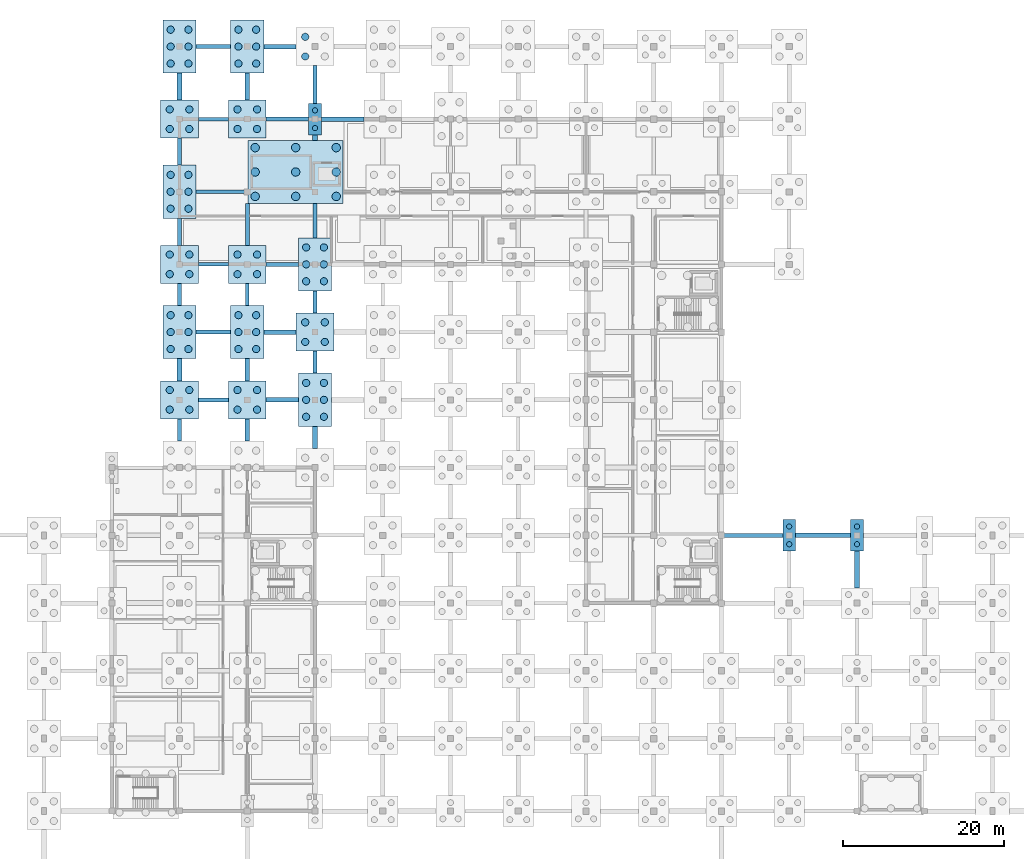
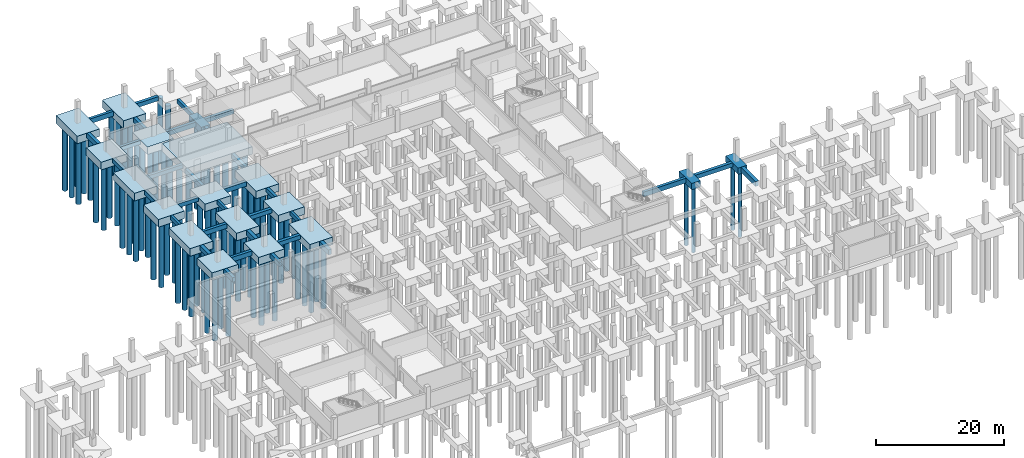
# One storey, part 6 of 20: 87 piles, 50 footings.
"""IFC4 building model written with IfcOpenShell, lengths in metres."""

import ifcopenshell
import ifcopenshell.guid

model = None  # the IFC model being written
_history = None  # IfcOwnerHistory: only IFC2X3 demands one
_inside = {}  # id of a spatial element -> (the spatial element, [elements in it])
_under = {}  # id of a project, library or spatial element -> (it, [spatial elements below it])
_declared = {}  # id of a project -> (the project, [libraries it declares])
_typed = {}  # id of a type object -> (the type object, [elements of that type])
_made_of = {}  # id of a material, layer set ... -> (it, [elements and type objects made of it])


def new_model(schema):
    """Start an empty IFC model of exactly this schema.

    Asked for "IFC4X3", IfcOpenShell would pick the latest addendum, in which some entities
    have other attributes; the version numbers below select the first issue.
    IFC2X3 requires an IfcOwnerHistory on every rooted entity: one is made here for all.
    """
    global model, _history
    if schema == "IFC4X3":
        model = ifcopenshell.file(schema_version=(4, 3, 0, 0))
    else:
        model = ifcopenshell.file(schema=schema)
    _inside.clear()
    _under.clear()
    _declared.clear()
    _typed.clear()
    _made_of.clear()
    _history = None
    if model.schema == "IFC2X3":
        org = make("IfcOrganization", Name="unknown")
        user = make(
            "IfcPersonAndOrganization",
            ThePerson=make("IfcPerson", FamilyName="unknown"),
            TheOrganization=org,
        )
        app = make(
            "IfcApplication",
            ApplicationDeveloper=org,
            Version="unknown",
            ApplicationFullName="unknown",
            ApplicationIdentifier="unknown",
        )
        _history = make(
            "IfcOwnerHistory",
            OwningUser=user,
            OwningApplication=app,
            ChangeAction="ADDED",
            CreationDate=0,
        )
    return model


def make(cls, **values):
    """One entity of the class cls with the attributes given. An attribute that is None is left unset."""
    return model.create_entity(
        cls, **{name: value for name, value in values.items() if value is not None}
    )


def rooted(cls, **values):
    """An entity with a GlobalId (a new one), such as an element, a storey or a relation."""
    return make(cls, GlobalId=ifcopenshell.guid.new(), OwnerHistory=_history, **values)


def si_unit(unit_type, name, prefix=None):
    """IfcSIUnit, for example si_unit("LENGTHUNIT", "METRE", prefix="MILLI")."""
    return make("IfcSIUnit", UnitType=unit_type, Prefix=prefix, Name=name)


def assignment(units):
    """IfcUnitAssignment: the units of a project."""
    return None if units is None else make("IfcUnitAssignment", Units=units)


def point(xyz):
    """IfcCartesianPoint."""
    return None if xyz is None else make("IfcCartesianPoint", Coordinates=xyz)


def direction(xyz):
    """IfcDirection."""
    return None if xyz is None else make("IfcDirection", DirectionRatios=xyz)


def frame(location, z_axis=None, x_axis=None):
    """IfcAxis2Placement3D, a coordinate frame: its origin and axes. An axis left out is left unset."""
    return make(
        "IfcAxis2Placement3D",
        Location=point(location),
        Axis=direction(z_axis),
        RefDirection=direction(x_axis),
    )


def frame_2d(location, x_axis=None):
    """IfcAxis2Placement2D, a coordinate frame in the plane: its origin and x axis."""
    return make(
        "IfcAxis2Placement2D", Location=point(location), RefDirection=direction(x_axis)
    )


def origin():
    """The frame at (0, 0, 0) with its axes left unset."""
    return frame((0.0, 0.0, 0.0))


def origin_2d():
    """The frame at (0, 0) in the plane with its x axis left unset."""
    return frame_2d((0.0, 0.0))


def place(relative_to, where):
    """IfcLocalPlacement: puts the frame where relative to a parent placement (None: the world)."""
    return make(
        "IfcLocalPlacement", PlacementRelTo=relative_to, RelativePlacement=where
    )


def context(
    kind, dimensions, precision=None, world=None, true_north=None, identifier=None
):
    """IfcGeometricRepresentationContext, for example the 3D "Model" context."""
    return make(
        "IfcGeometricRepresentationContext",
        ContextIdentifier=identifier,
        ContextType=kind,
        CoordinateSpaceDimension=dimensions,
        Precision=precision,
        WorldCoordinateSystem=world,
        TrueNorth=true_north,
    )


def subcontext(parent, identifier, kind, view, scale=None):
    """IfcGeometricRepresentationSubContext, for example "Body" below "Model"."""
    return make(
        "IfcGeometricRepresentationSubContext",
        ContextIdentifier=identifier,
        ContextType=kind,
        ParentContext=parent,
        TargetScale=scale,
        TargetView=view,
    )


def project(units=None, contexts=None):
    """IfcProject with its units and contexts."""
    return rooted(
        "IfcProject",
        Name="project",
        RepresentationContexts=contexts,
        UnitsInContext=assignment(units),
    )


def spatial(cls, under=None, at=None, **own):
    """A site, building, storey or space (cls), placed at a placement, below another one or the project."""
    s = rooted(cls, ObjectPlacement=at, **own)
    if under is not None:
        _under.setdefault(under.id(), (under, []))[1].append(s)
    return s


def profile(cls, at=None, kind="AREA", **sizes):
    """A parametric profile (cls). Its sizes go by their IFC names, for example OverallWidth=200.0."""
    return make(cls, ProfileType=kind, Position=at, **sizes)


def rectangle(**sizes):
    """IfcRectangleProfileDef."""
    return profile("IfcRectangleProfileDef", **sizes)


def circle(**sizes):
    """IfcCircleProfileDef."""
    return profile("IfcCircleProfileDef", **sizes)


def extrude(swept, where, along, depth):
    """IfcExtrudedAreaSolid: the profile swept, set in the frame where, extruded along a direction by depth."""
    return make(
        "IfcExtrudedAreaSolid",
        SweptArea=swept,
        Position=where,
        ExtrudedDirection=direction(along),
        Depth=depth,
    )


def shape(context_of_items, identifier, shape_type, items):
    """IfcShapeRepresentation: the items that make up one representation, for example the "Body"."""
    return make(
        "IfcShapeRepresentation",
        ContextOfItems=context_of_items,
        RepresentationIdentifier=identifier,
        RepresentationType=shape_type,
        Items=items,
    )


def material(Name=None, Category=None):
    """IfcMaterial."""
    return make("IfcMaterial", Name=Name, Category=Category)


def material_profile(
    of_material, cross_section, Name=None, Category=None, Priority=None
):
    """IfcMaterialProfile: a cross section and its material."""
    return make(
        "IfcMaterialProfile",
        Name=Name,
        Material=of_material,
        Profile=cross_section,
        Priority=Priority,
        Category=Category,
    )


def profile_set(profiles, Name=None, composite=None):
    """IfcMaterialProfileSet."""
    return make(
        "IfcMaterialProfileSet",
        Name=Name,
        MaterialProfiles=profiles,
        CompositeProfile=composite,
    )


def made_of(thing, what):
    """Note that an element or type object is made of a material, layer set ...; save() writes the relation."""
    if what is not None:
        _made_of.setdefault(what.id(), (what, []))[1].append(thing)
    return thing


def type_object(cls, material=None, **own):
    """A type object (cls), such as IfcWallType, which elements share."""
    return made_of(rooted(cls, **own), material)


def element(
    cls,
    number,
    at=None,
    inside=None,
    cuts=None,
    type_object=None,
    material=None,
    context=None,
    identifier="Body",
    shape_type=None,
    held_by="IfcProductDefinitionShape",
    body=None,
    shapes=None,
    **own,
):
    """One element of the class cls, such as IfcWall. Its Tag is "e" and its number.

    at: its placement. inside: the storey or other place that contains it. cuts: it is an
    opening in that element (IfcRelVoidsElement). A single representation is given by context,
    identifier, shape_type and body (its items); several are given by shapes. held_by: the class
    of the entity that holds the representations. save() writes the other relations.
    """
    e = rooted(cls, Tag="e%d" % number, ObjectPlacement=at, **own)
    if body is not None:
        shapes = [shape(context, identifier, shape_type, body)]
    if shapes is not None:
        e.Representation = make(held_by, Representations=shapes)
    if inside is not None:
        _inside.setdefault(inside.id(), (inside, []))[1].append(e)
    if cuts is not None:
        rooted(
            "IfcRelVoidsElement", RelatingBuildingElement=cuts, RelatedOpeningElement=e
        )
    if type_object is not None:
        _typed.setdefault(type_object.id(), (type_object, []))[1].append(e)
    return made_of(e, material)


def aggregate(whole, parts):
    """IfcRelAggregates: a whole, such as a stair, and the parts it consists of."""
    return rooted("IfcRelAggregates", RelatingObject=whole, RelatedObjects=parts)


def save(model, path):
    """Write the relations noted so far, then the file.

    IfcRelAggregates (storeys below a building ...), IfcRelContainedInSpatialStructure (elements
    in a storey), IfcRelDefinesByType, IfcRelAssociatesMaterial and IfcRelDeclares: one each for
    every whole, place, type object, material and project.
    """
    for whole, parts in _under.values():
        aggregate(whole, parts)
    for where, things in _inside.values():
        rooted(
            "IfcRelContainedInSpatialStructure",
            RelatedElements=things,
            RelatingStructure=where,
        )
    for kind, things in _typed.values():
        rooted("IfcRelDefinesByType", RelatedObjects=things, RelatingType=kind)
    for what, things in _made_of.values():
        rooted("IfcRelAssociatesMaterial", RelatedObjects=things, RelatingMaterial=what)
    for by, libraries in _declared.values():
        rooted("IfcRelDeclares", RelatingContext=by, RelatedDefinitions=libraries)
    model.write(path)


model = new_model("IFC4")

# Units and contexts
model_context = context("Model", 3, precision=1e-05, world=origin(), true_north=direction((0.0, 1.0)))
body_context = subcontext(model_context, "Body", "Model", "MODEL_VIEW")
ifc_project = project(units=[si_unit("LENGTHUNIT", "METRE"), si_unit("AREAUNIT", "SQUARE_METRE"), si_unit("VOLUMEUNIT", "CUBIC_METRE"), si_unit("PLANEANGLEUNIT", "RADIAN"), si_unit("MASSUNIT", "GRAM", prefix="KILO")], contexts=[model_context])

# Site, building, storey
site_placement = place(None, origin())
site = spatial("IfcSite", under=ifc_project, at=site_placement, CompositionType="ELEMENT")
building_placement = place(site_placement, origin())
building = spatial("IfcBuilding", under=site, at=building_placement, Name="Vireocrest Preparatory School", CompositionType="ELEMENT")
storey_placement = place(building_placement, frame((0.0, 0.0, -4.199951171875)))
storey = spatial("IfcBuildingStorey", under=building, at=storey_placement, Name="B01", CompositionType="ELEMENT", Elevation=-4.199951171875)

# Piles
ifc_material = material(Name="Concrete 40 MPa", Category="concrete")
ifc_material_profile_1 = material_profile(ifc_material, circle(Radius=0.52490234375, at=origin_2d()), Name="BORED PILE 1050")
ifc_profile_set_1 = profile_set([ifc_material_profile_1], Name="Concrete 40 MPa")
pile_type_1 = type_object("IfcPileType", Name="Bored Concrete Pile 1050", PredefinedType="BORED", material=ifc_profile_set_1)
for number, where, z_axis, x_axis, name in (
    (1, (51.375, 94.22509765625, -1.35009765625), (0.0, 0.0, -1.0), (1.0, 0.0, 0.0), "Bored Pile P04 Core K3-1"),
    (2, (51.375, 97.25, -1.35009765625), (0.0, 0.0, -1.0), (1.0, 0.0, 0.0), "Bored Pile P04 Core K3-2"),
    (3, (51.375, 100.27490234375, -1.35009765625), (0.0, 0.0, -1.0), (1.0, 0.0, 0.0), "Bored Pile P04 Core K3-3"),
    (4, (56.39990234375, 94.22509765625, -1.35009765625), (0.0, 0.0, -1.0), (1.0, 0.0, 0.0), "Bored Pile P04 Core K3-4"),
    (5, (56.39990234375, 97.25, -1.35009765625), (0.0, 0.0, -1.0), (1.0, 0.0, 0.0), "Bored Pile P04 Core K3-5"),
    (6, (56.39990234375, 100.27490234375, -1.35009765625), (0.0, 0.0, -1.0), (1.0, 0.0, 0.0), "Bored Pile P04 Core K3-6"),
    (7, (61.425048828125, 94.22509765625, -1.35009765625), (0.0, 0.0, -1.0), (1.0, 0.0, 0.0), "Bored Pile P04 Core K3-7"),
    (8, (61.425048828125, 97.25, -1.35009765625), (0.0, 0.0, -1.0), (1.0, 0.0, 0.0), "Bored Pile P04 Core K3-8"),
    (9, (61.425048828125, 100.27490234375, -1.35009765625), (0.0, 0.0, -1.0), (1.0, 0.0, 0.0), "Bored Pile P04 Core K3-9"),
):
    element("IfcPile", number, at=place(storey_placement, frame(where, z_axis=z_axis, x_axis=x_axis)), inside=storey, type_object=pile_type_1, Name=name, PredefinedType="BORED", context=body_context, shape_type="SweptSolid", body=[
        extrude(circle(Radius=0.52490234375, at=origin_2d()), origin(), (0.0, 0.0, 1.0), 12.449951171875),
    ])
ifc_material_profile_2 = material_profile(ifc_material, circle(Radius=0.324951171875, at=origin_2d()), Name="BORED PILE 650")
ifc_profile_set_2 = profile_set([ifc_material_profile_2], Name="Concrete 40 MPa")
pile_type_2 = type_object("IfcPileType", Name="Bored Concrete Pile 650", PredefinedType="BORED", material=ifc_profile_set_2)
for number, where, z_axis, x_axis, name in (
    (10, (58.800048828125, 102.699951171875, -1.10009765625), (0.0, 0.0, -1.0), (1.0, 0.0, 0.0), "Bored Pile P01 059-1"),
    (11, (58.800048828125, 104.89990234375, -1.10009765625), (0.0, 0.0, -1.0), (1.0, 0.0, 0.0), "Bored Pile P01 059-2"),
    (12, (117.60009765625, 51.10009765625, -1.10009765625), (0.0, 0.0, -1.0), (1.0, 0.0, 0.0), "Bored Pile P01 144-1"),
    (13, (117.60009765625, 53.300048828125, -1.10009765625), (0.0, 0.0, -1.0), (1.0, 0.0, 0.0), "Bored Pile P01 144-2"),
    (14, (126.0, 51.10009765625, -1.10009765625), (0.0, 0.0, -1.0), (1.0, 0.0, 0.0), "Bored Pile P01 153-1"),
    (15, (126.0, 53.300048828125, -1.10009765625), (0.0, 0.0, -1.0), (1.0, 0.0, 0.0), "Bored Pile P01 153-2"),
):
    element("IfcPile", number, at=place(storey_placement, frame(where, z_axis=z_axis, x_axis=x_axis)), inside=storey, type_object=pile_type_2, Name=name, PredefinedType="BORED", context=body_context, shape_type="SweptSolid", body=[
        extrude(circle(Radius=0.324951171875, at=origin_2d()), origin(), (0.0, 0.0, 1.0), 12.699951171875),
    ])
ifc_material_profile_3 = material_profile(ifc_material, circle(Radius=0.449951171875, at=origin_2d()), Name="BORED PILE 900")
ifc_profile_set_3 = profile_set([ifc_material_profile_3], Name="Concrete 40 MPa")
pile_type_3 = type_object("IfcPileType", Name="Bored Concrete Pile 900", PredefinedType="BORED", material=ifc_profile_set_3)
for number, where, z_axis, x_axis, name in (
    (16, (40.784912109375, 67.784912109375, -1.35009765625), (0.0, 0.0, -1.0), (1.0, 0.0, 0.0), "Bored Pile P03 028-1"),
    (17, (43.215087890625, 67.784912109375, -1.35009765625), (0.0, 0.0, -1.0), (1.0, 0.0, 0.0), "Bored Pile P03 028-2"),
    (18, (40.784912109375, 70.215087890625, -1.35009765625), (0.0, 0.0, -1.0), (1.0, 0.0, 0.0), "Bored Pile P03 028-3"),
    (19, (43.215087890625, 70.215087890625, -1.35009765625), (0.0, 0.0, -1.0), (1.0, 0.0, 0.0), "Bored Pile P03 028-4"),
    (20, (40.89990234375, 75.300048828125, -1.35009765625), (0.0, 0.0, -1.0), (1.0, 0.0, 0.0), "Bored Pile P03 029-1"),
    (21, (43.10009765625, 75.300048828125, -1.35009765625), (0.0, 0.0, -1.0), (1.0, 0.0, 0.0), "Bored Pile P03 029-2"),
    (22, (40.89990234375, 77.39990234375, -1.35009765625), (0.0, 0.0, -1.0), (1.0, 0.0, 0.0), "Bored Pile P03 029-3"),
    (23, (43.10009765625, 77.39990234375, -1.35009765625), (0.0, 0.0, -1.0), (1.0, 0.0, 0.0), "Bored Pile P03 029-4"),
    (24, (40.89990234375, 79.5, -1.35009765625), (0.0, 0.0, -1.0), (1.0, 0.0, 0.0), "Bored Pile P03 029-5"),
    (25, (43.10009765625, 79.5, -1.35009765625), (0.0, 0.0, -1.0), (1.0, 0.0, 0.0), "Bored Pile P03 029-6"),
    (26, (40.784912109375, 84.5849609375, -1.35009765625), (0.0, 0.0, -1.0), (1.0, 0.0, 0.0), "Bored Pile P03 030-1"),
    (27, (43.215087890625, 84.5849609375, -1.35009765625), (0.0, 0.0, -1.0), (1.0, 0.0, 0.0), "Bored Pile P03 030-2"),
    (28, (40.784912109375, 87.014892578125, -1.35009765625), (0.0, 0.0, -1.0), (1.0, 0.0, 0.0), "Bored Pile P03 030-3"),
    (29, (43.215087890625, 87.014892578125, -1.35009765625), (0.0, 0.0, -1.0), (1.0, 0.0, 0.0), "Bored Pile P03 030-4"),
    (30, (40.89990234375, 92.699951171875, -1.35009765625), (0.0, 0.0, -1.0), (1.0, 0.0, 0.0), "Bored Pile P03 031-1"),
    (31, (43.10009765625, 92.699951171875, -1.35009765625), (0.0, 0.0, -1.0), (1.0, 0.0, 0.0), "Bored Pile P03 031-2"),
    (32, (40.89990234375, 94.800048828125, -1.35009765625), (0.0, 0.0, -1.0), (1.0, 0.0, 0.0), "Bored Pile P03 031-3"),
    (33, (43.10009765625, 94.800048828125, -1.35009765625), (0.0, 0.0, -1.0), (1.0, 0.0, 0.0), "Bored Pile P03 031-4"),
    (34, (40.89990234375, 96.89990234375, -1.35009765625), (0.0, 0.0, -1.0), (1.0, 0.0, 0.0), "Bored Pile P03 031-5"),
    (35, (43.10009765625, 96.89990234375, -1.35009765625), (0.0, 0.0, -1.0), (1.0, 0.0, 0.0), "Bored Pile P03 031-6"),
    (36, (40.784912109375, 102.5849609375, -1.35009765625), (0.0, 0.0, -1.0), (1.0, 0.0, 0.0), "Bored Pile P03 032-1"),
    (37, (43.215087890625, 102.5849609375, -1.35009765625), (0.0, 0.0, -1.0), (1.0, 0.0, 0.0), "Bored Pile P03 032-2"),
    (38, (40.784912109375, 105.014892578125, -1.35009765625), (0.0, 0.0, -1.0), (1.0, 0.0, 0.0), "Bored Pile P03 032-3"),
    (39, (43.215087890625, 105.014892578125, -1.35009765625), (0.0, 0.0, -1.0), (1.0, 0.0, 0.0), "Bored Pile P03 032-4"),
    (40, (40.89990234375, 110.699951171875, -1.35009765625), (0.0, 0.0, -1.0), (1.0, 0.0, 0.0), "Bored Pile P03 033-1"),
    (41, (43.10009765625, 110.699951171875, -1.35009765625), (0.0, 0.0, -1.0), (1.0, 0.0, 0.0), "Bored Pile P03 033-2"),
    (42, (40.89990234375, 112.800048828125, -1.35009765625), (0.0, 0.0, -1.0), (1.0, 0.0, 0.0), "Bored Pile P03 033-3"),
    (43, (43.10009765625, 112.800048828125, -1.35009765625), (0.0, 0.0, -1.0), (1.0, 0.0, 0.0), "Bored Pile P03 033-4"),
    (44, (40.89990234375, 114.89990234375, -1.35009765625), (0.0, 0.0, -1.0), (1.0, 0.0, 0.0), "Bored Pile P03 033-5"),
    (45, (43.10009765625, 114.89990234375, -1.35009765625), (0.0, 0.0, -1.0), (1.0, 0.0, 0.0), "Bored Pile P03 033-6"),
    (46, (49.18505859375, 67.784912109375, -1.35009765625), (0.0, 0.0, -1.0), (1.0, 0.0, 0.0), "Bored Pile P03 042-1"),
    (47, (51.614990234375, 67.784912109375, -1.35009765625), (0.0, 0.0, -1.0), (1.0, 0.0, 0.0), "Bored Pile P03 042-2"),
    (48, (49.18505859375, 70.215087890625, -1.35009765625), (0.0, 0.0, -1.0), (1.0, 0.0, 0.0), "Bored Pile P03 042-3"),
    (49, (51.614990234375, 70.215087890625, -1.35009765625), (0.0, 0.0, -1.0), (1.0, 0.0, 0.0), "Bored Pile P03 042-4"),
    (50, (49.300048828125, 75.300048828125, -1.35009765625), (0.0, 0.0, -1.0), (1.0, 0.0, 0.0), "Bored Pile P03 043-1"),
    (51, (51.5, 75.300048828125, -1.35009765625), (0.0, 0.0, -1.0), (1.0, 0.0, 0.0), "Bored Pile P03 043-2"),
    (52, (49.300048828125, 77.39990234375, -1.35009765625), (0.0, 0.0, -1.0), (1.0, 0.0, 0.0), "Bored Pile P03 043-3"),
    (53, (51.5, 77.39990234375, -1.35009765625), (0.0, 0.0, -1.0), (1.0, 0.0, 0.0), "Bored Pile P03 043-4"),
    (54, (49.300048828125, 79.5, -1.35009765625), (0.0, 0.0, -1.0), (1.0, 0.0, 0.0), "Bored Pile P03 043-5"),
    (55, (51.5, 79.5, -1.35009765625), (0.0, 0.0, -1.0), (1.0, 0.0, 0.0), "Bored Pile P03 043-6"),
    (56, (49.18505859375, 84.5849609375, -1.35009765625), (0.0, 0.0, -1.0), (1.0, 0.0, 0.0), "Bored Pile P03 044-1"),
    (57, (51.614990234375, 84.5849609375, -1.35009765625), (0.0, 0.0, -1.0), (1.0, 0.0, 0.0), "Bored Pile P03 044-2"),
    (58, (49.18505859375, 87.014892578125, -1.35009765625), (0.0, 0.0, -1.0), (1.0, 0.0, 0.0), "Bored Pile P03 044-3"),
    (59, (51.614990234375, 87.014892578125, -1.35009765625), (0.0, 0.0, -1.0), (1.0, 0.0, 0.0), "Bored Pile P03 044-4"),
    (60, (49.18505859375, 102.5849609375, -1.35009765625), (0.0, 0.0, -1.0), (1.0, 0.0, 0.0), "Bored Pile P03 046-1"),
    (61, (51.614990234375, 102.5849609375, -1.35009765625), (0.0, 0.0, -1.0), (1.0, 0.0, 0.0), "Bored Pile P03 046-2"),
    (62, (49.18505859375, 105.014892578125, -1.35009765625), (0.0, 0.0, -1.0), (1.0, 0.0, 0.0), "Bored Pile P03 046-3"),
    (63, (51.614990234375, 105.014892578125, -1.35009765625), (0.0, 0.0, -1.0), (1.0, 0.0, 0.0), "Bored Pile P03 046-4"),
    (64, (49.300048828125, 110.699951171875, -1.35009765625), (0.0, 0.0, -1.0), (1.0, 0.0, 0.0), "Bored Pile P03 047-1"),
    (65, (51.5, 110.699951171875, -1.35009765625), (0.0, 0.0, -1.0), (1.0, 0.0, 0.0), "Bored Pile P03 047-2"),
    (66, (49.300048828125, 112.800048828125, -1.35009765625), (0.0, 0.0, -1.0), (1.0, 0.0, 0.0), "Bored Pile P03 047-3"),
    (67, (51.5, 112.800048828125, -1.35009765625), (0.0, 0.0, -1.0), (1.0, 0.0, 0.0), "Bored Pile P03 047-4"),
    (68, (49.300048828125, 114.89990234375, -1.35009765625), (0.0, 0.0, -1.0), (1.0, 0.0, 0.0), "Bored Pile P03 047-5"),
    (69, (51.5, 114.89990234375, -1.35009765625), (0.0, 0.0, -1.0), (1.0, 0.0, 0.0), "Bored Pile P03 047-6"),
    (70, (57.699951171875, 66.89990234375, -1.35009765625), (0.0, 0.0, -1.0), (1.0, 0.0, 0.0), "Bored Pile P03 055-1"),
    (71, (59.89990234375, 66.89990234375, -1.35009765625), (0.0, 0.0, -1.0), (1.0, 0.0, 0.0), "Bored Pile P03 055-2"),
    (72, (57.699951171875, 69.0, -1.35009765625), (0.0, 0.0, -1.0), (1.0, 0.0, 0.0), "Bored Pile P03 055-3"),
    (73, (59.89990234375, 69.0, -1.35009765625), (0.0, 0.0, -1.0), (1.0, 0.0, 0.0), "Bored Pile P03 055-4"),
    (74, (57.699951171875, 71.10009765625, -1.35009765625), (0.0, 0.0, -1.0), (1.0, 0.0, 0.0), "Bored Pile P03 055-5"),
    (75, (59.89990234375, 71.10009765625, -1.35009765625), (0.0, 0.0, -1.0), (1.0, 0.0, 0.0), "Bored Pile P03 055-6"),
    (76, (57.5849609375, 76.18505859375, -1.35009765625), (0.0, 0.0, -1.0), (1.0, 0.0, 0.0), "Bored Pile P03 056-1"),
    (77, (60.014892578125, 76.18505859375, -1.35009765625), (0.0, 0.0, -1.0), (1.0, 0.0, 0.0), "Bored Pile P03 056-2"),
    (78, (57.5849609375, 78.614990234375, -1.35009765625), (0.0, 0.0, -1.0), (1.0, 0.0, 0.0), "Bored Pile P03 056-3"),
    (79, (60.014892578125, 78.614990234375, -1.35009765625), (0.0, 0.0, -1.0), (1.0, 0.0, 0.0), "Bored Pile P03 056-4"),
    (80, (57.699951171875, 83.699951171875, -1.35009765625), (0.0, 0.0, -1.0), (1.0, 0.0, 0.0), "Bored Pile P03 057-1"),
    (81, (59.89990234375, 83.699951171875, -1.35009765625), (0.0, 0.0, -1.0), (1.0, 0.0, 0.0), "Bored Pile P03 057-2"),
    (82, (57.699951171875, 85.800048828125, -1.35009765625), (0.0, 0.0, -1.0), (1.0, 0.0, 0.0), "Bored Pile P03 057-3"),
    (83, (59.89990234375, 85.800048828125, -1.35009765625), (0.0, 0.0, -1.0), (1.0, 0.0, 0.0), "Bored Pile P03 057-4"),
    (84, (57.699951171875, 87.89990234375, -1.35009765625), (0.0, 0.0, -1.0), (1.0, 0.0, 0.0), "Bored Pile P03 057-5"),
    (85, (59.89990234375, 87.89990234375, -1.35009765625), (0.0, 0.0, -1.0), (1.0, 0.0, 0.0), "Bored Pile P03 057-6"),
    (86, (57.5849609375, 111.5849609375, -1.35009765625), (0.0, 0.0, -1.0), (1.0, 0.0, 0.0), "Bored Pile P03 060-1"),
    (87, (57.5849609375, 114.014892578125, -1.35009765625), (0.0, 0.0, -1.0), (1.0, 0.0, 0.0), "Bored Pile P03 060-3"),
):
    element("IfcPile", number, at=place(storey_placement, frame(where, z_axis=z_axis, x_axis=x_axis)), inside=storey, type_object=pile_type_3, Name=name, PredefinedType="BORED", context=body_context, shape_type="SweptSolid", body=[
        extrude(circle(Radius=0.449951171875, at=origin_2d()), origin(), (0.0, 0.0, 1.0), 12.449951171875),
    ])

# Footings
footing_type_1 = type_object("IfcFootingType", Name="Combined Core Pile Cap 7200x7800x1450", PredefinedType="PILE_CAP", material=ifc_material)
footing_1_placement = place(storey_placement, frame((56.39990234375, 97.25, -1.4501953125), z_axis=(0.0, 0.0, 1.0), x_axis=(1.0, 0.0, 0.0)))
element("IfcFooting", 88, at=footing_1_placement, inside=storey, type_object=footing_type_1, Name="Combined Core Pile Cap K3", PredefinedType="PILE_CAP", context=body_context, shape_type="SweptSolid", body=[
    extrude(rectangle(XDim=11.800048828125, YDim=7.800048828125, at=origin_2d()), origin(), (0.0, 0.0, 1.0), 1.449951171875),
])
footing_type_2 = type_object("IfcFootingType", Name="Four-Pile Cap 4700x4700x1450", PredefinedType="PILE_CAP", material=ifc_material)
for number, where, z_axis, x_axis, name in (
    (89, (42.0, 69.0, -1.4501953125), (0.0, 0.0, 1.0), (1.0, 0.0, 0.0), "Pile Cap PC08 at (42.0, 69.0)"),
    (90, (42.0, 85.800048828125, -1.4501953125), (0.0, 0.0, 1.0), (1.0, 0.0, 0.0), "Pile Cap PC08 at (42.0, 85.8)"),
    (91, (42.0, 103.800048828125, -1.4501953125), (0.0, 0.0, 1.0), (1.0, 0.0, 0.0), "Pile Cap PC08 at (42.0, 103.8)"),
    (92, (50.39990234375, 69.0, -1.4501953125), (0.0, 0.0, 1.0), (1.0, 0.0, 0.0), "Pile Cap PC08 at (50.4, 69.0)"),
    (93, (50.39990234375, 85.800048828125, -1.4501953125), (0.0, 0.0, 1.0), (1.0, 0.0, 0.0), "Pile Cap PC08 at (50.4, 85.8)"),
    (94, (50.39990234375, 103.800048828125, -1.4501953125), (0.0, 0.0, 1.0), (1.0, 0.0, 0.0), "Pile Cap PC08 at (50.4, 103.8)"),
    (95, (58.800048828125, 77.39990234375, -1.4501953125), (0.0, 0.0, 1.0), (1.0, 0.0, 0.0), "Pile Cap PC08 at (58.8, 77.4)"),
):
    element("IfcFooting", number, at=place(storey_placement, frame(where, z_axis=z_axis, x_axis=x_axis)), inside=storey, type_object=footing_type_2, Name=name, PredefinedType="PILE_CAP", context=body_context, shape_type="SweptSolid", body=[
        extrude(rectangle(XDim=4.699951171875, YDim=4.699951171875, at=origin_2d()), origin(), (0.0, 0.0, 1.0), 1.449951171875),
    ])
ifc_material_profile_4 = material_profile(ifc_material, rectangle(XDim=0.550048828125, YDim=0.800048828125, at=origin_2d()), Name="GB 550x800")
ifc_profile_set_4 = profile_set([ifc_material_profile_4], Name="Concrete 40 MPa")
footing_type_3 = type_object("IfcFootingType", Name="RC Court Tie Beam 550x800", PredefinedType="FOOTING_BEAM", material=ifc_profile_set_4)
footing_2_placement = place(storey_placement, frame((118.39990234375, 52.199951171875, -0.400146484375), z_axis=(1.0, 0.0, 0.0), x_axis=(0.0, 1.0, 0.0)))
element("IfcFooting", 96, at=footing_2_placement, inside=storey, type_object=footing_type_3, Name="Foundation Grade Beam GB06-078", PredefinedType="FOOTING_BEAM", context=body_context, shape_type="SweptSolid", body=[
    extrude(rectangle(XDim=0.550048828125, YDim=0.800048828125, at=origin_2d()), origin(), (0.0, 0.0, 1.0), 6.800048828125),
])
for number, where, z_axis, x_axis, name in (
    (97, (52.75, 69.0, -0.400146484375), (1.0, 0.0, 0.0), (0.0, 1.0, 0.0), "Foundation Grade Beam GB06-094"),
    (98, (52.449951171875, 77.39990234375, -0.400146484375), (1.0, 0.0, 0.0), (0.0, 1.0, 0.0), "Foundation Grade Beam GB06-102"),
):
    element("IfcFooting", number, at=place(storey_placement, frame(where, z_axis=z_axis, x_axis=x_axis)), inside=storey, type_object=footing_type_3, Name=name, PredefinedType="FOOTING_BEAM", context=body_context, shape_type="SweptSolid", body=[
        extrude(rectangle(XDim=0.550048828125, YDim=0.800048828125, at=origin_2d()), origin(), (0.0, 0.0, 1.0), 4.0),
    ])
footing_3_placement = place(storey_placement, frame((59.60009765625, 103.800048828125, -0.400146484375), z_axis=(1.0, 0.0, 0.0), x_axis=(0.0, 1.0, 0.0)))
element("IfcFooting", 99, at=footing_3_placement, inside=storey, type_object=footing_type_3, Name="Foundation Grade Beam GB06-126", PredefinedType="FOOTING_BEAM", context=body_context, shape_type="SweptSolid", body=[
    extrude(rectangle(XDim=0.550048828125, YDim=0.800048828125, at=origin_2d()), origin(), (0.0, 0.0, 1.0), 5.25),
])
footing_4_placement = place(storey_placement, frame((52.449951171875, 112.800048828125, -0.400146484375), z_axis=(1.0, 0.0, 0.0), x_axis=(0.0, 1.0, 0.0)))
element("IfcFooting", 100, at=footing_4_placement, inside=storey, type_object=footing_type_3, Name="Foundation Grade Beam GB06-134", PredefinedType="FOOTING_BEAM", context=body_context, shape_type="SweptSolid", body=[
    extrude(rectangle(XDim=0.550048828125, YDim=0.800048828125, at=origin_2d()), origin(), (0.0, 0.0, 1.0), 4.0),
])
footing_5_placement = place(storey_placement, frame((42.0, 98.10009765625, -0.400146484375), z_axis=(0.0, 1.0, 0.0), x_axis=(-1.0, 0.0, 0.0)))
element("IfcFooting", 101, at=footing_5_placement, inside=storey, type_object=footing_type_3, Name="Foundation Grade Beam GB06-166", PredefinedType="FOOTING_BEAM", context=body_context, shape_type="SweptSolid", body=[
    extrude(rectangle(XDim=0.550048828125, YDim=0.800048828125, at=origin_2d()), origin(), (0.0, 0.0, 1.0), 3.349853515625),
])
footing_6_placement = place(storey_placement, frame((50.39990234375, 63.89990234375, -0.400146484375), z_axis=(0.0, 1.0, 0.0), x_axis=(-1.0, 0.0, 0.0)))
element("IfcFooting", 102, at=footing_6_placement, inside=storey, type_object=footing_type_3, Name="Foundation Grade Beam GB06-174", PredefinedType="FOOTING_BEAM", context=body_context, shape_type="SweptSolid", body=[
    extrude(rectangle(XDim=0.550048828125, YDim=0.800048828125, at=origin_2d()), origin(), (0.0, 0.0, 1.0), 2.75),
])
ifc_material_profile_5 = material_profile(ifc_material, rectangle(XDim=0.5, YDim=0.800048828125, at=origin_2d()), Name="GB 500x800")
ifc_profile_set_5 = profile_set([ifc_material_profile_5], Name="Concrete 40 MPa")
footing_type_4 = type_object("IfcFootingType", Name="RC Foundation Grade Beam 500x800", PredefinedType="FOOTING_BEAM", material=ifc_profile_set_5)
footing_7_placement = place(storey_placement, frame((50.39990234375, 88.14990234375, -0.400146484375), z_axis=(0.0, 1.0, 0.0), x_axis=(-1.0, 0.0, 0.0)))
element("IfcFooting", 103, at=footing_7_placement, inside=storey, type_object=footing_type_4, Name="Foundation Grade Beam GB01-177", PredefinedType="FOOTING_BEAM", context=body_context, shape_type="SweptSolid", body=[
    extrude(rectangle(XDim=0.5, YDim=0.800048828125, at=origin_2d()), origin(), (0.0, 0.0, 1.0), 5.2001953125),
])
footing_8_placement = place(storey_placement, frame((58.800048828125, 79.75, -0.400146484375), z_axis=(0.0, 1.0, 0.0), x_axis=(-1.0, 0.0, 0.0)))
element("IfcFooting", 104, at=footing_8_placement, inside=storey, type_object=footing_type_4, Name="Foundation Grade Beam GB01-185", PredefinedType="FOOTING_BEAM", context=body_context, shape_type="SweptSolid", body=[
    extrude(rectangle(XDim=0.5, YDim=0.800048828125, at=origin_2d()), origin(), (0.0, 0.0, 1.0), 2.75),
])
ifc_material_profile_6 = material_profile(ifc_material, rectangle(XDim=0.550048828125, YDim=0.85009765625, at=origin_2d()), Name="GB 550x850")
ifc_profile_set_6 = profile_set([ifc_material_profile_6], Name="Concrete 40 MPa")
footing_type_5 = type_object("IfcFootingType", Name="RC Foundation Grade Beam 550x850", PredefinedType="FOOTING_BEAM", material=ifc_profile_set_6)
footing_9_placement = place(storey_placement, frame((42.0, 63.89990234375, -0.425048828125), z_axis=(0.0, 1.0, 0.0), x_axis=(-1.0, 0.0, 0.0)))
element("IfcFooting", 105, at=footing_9_placement, inside=storey, type_object=footing_type_5, Name="Foundation Grade Beam GB02-162", PredefinedType="FOOTING_BEAM", context=body_context, shape_type="SweptSolid", body=[
    extrude(rectangle(XDim=0.550048828125, YDim=0.85009765625, at=origin_2d()), origin(), (0.0, 0.0, 1.0), 2.75),
])
footing_10_placement = place(storey_placement, frame((50.39990234375, 106.14990234375, -0.425048828125), z_axis=(0.0, 1.0, 0.0), x_axis=(-1.0, 0.0, 0.0)))
element("IfcFooting", 106, at=footing_10_placement, inside=storey, type_object=footing_type_5, Name="Foundation Grade Beam GB02-178", PredefinedType="FOOTING_BEAM", context=body_context, shape_type="SweptSolid", body=[
    extrude(rectangle(XDim=0.550048828125, YDim=0.85009765625, at=origin_2d()), origin(), (0.0, 0.0, 1.0), 3.35009765625),
])
footing_11_placement = place(storey_placement, frame((58.800048828125, 89.10009765625, -0.425048828125), z_axis=(0.0, 1.0, 0.0), x_axis=(-1.0, 0.0, 0.0)))
element("IfcFooting", 107, at=footing_11_placement, inside=storey, type_object=footing_type_5, Name="Foundation Grade Beam GB02-186", PredefinedType="FOOTING_BEAM", context=body_context, shape_type="SweptSolid", body=[
    extrude(rectangle(XDim=0.550048828125, YDim=0.85009765625, at=origin_2d()), origin(), (0.0, 0.0, 1.0), 4.25),
])
ifc_material_profile_7 = material_profile(ifc_material, rectangle(XDim=0.60009765625, YDim=0.89990234375, at=origin_2d()), Name="GB 600x900")
ifc_profile_set_7 = profile_set([ifc_material_profile_7], Name="Concrete 40 MPa")
footing_type_6 = type_object("IfcFootingType", Name="RC Foundation Grade Beam 600x900", PredefinedType="FOOTING_BEAM", material=ifc_profile_set_7)
footing_12_placement = place(storey_placement, frame((42.0, 71.35009765625, -0.449951171875), z_axis=(0.0, 1.0, 0.0), x_axis=(-1.0, 0.0, 0.0)))
element("IfcFooting", 108, at=footing_12_placement, inside=storey, type_object=footing_type_6, Name="Foundation Grade Beam GB03-163", PredefinedType="FOOTING_BEAM", context=body_context, shape_type="SweptSolid", body=[
    extrude(rectangle(XDim=0.60009765625, YDim=0.89990234375, at=origin_2d()), origin(), (0.0, 0.0, 1.0), 2.75),
])
footing_13_placement = place(storey_placement, frame((58.800048828125, 101.14990234375, -0.449951171875), z_axis=(0.0, 1.0, 0.0), x_axis=(-1.0, 0.0, 0.0)))
element("IfcFooting", 109, at=footing_13_placement, inside=storey, type_object=footing_type_6, Name="Foundation Grade Beam GB03-187", PredefinedType="FOOTING_BEAM", context=body_context, shape_type="SweptSolid", body=[
    extrude(rectangle(XDim=0.60009765625, YDim=0.89990234375, at=origin_2d()), origin(), (0.0, 0.0, 1.0), 0.7001953125),
])
ifc_material_profile_8 = material_profile(ifc_material, rectangle(XDim=0.449951171875, YDim=0.75, at=origin_2d()), Name="GB 450x750")
ifc_profile_set_8 = profile_set([ifc_material_profile_8], Name="Concrete 40 MPa")
footing_type_7 = type_object("IfcFootingType", Name="RC Foundation Tie Beam 450x750", PredefinedType="FOOTING_BEAM", material=ifc_profile_set_8)
footing_14_placement = place(storey_placement, frame((44.35009765625, 85.800048828125, -0.375), z_axis=(1.0, 0.0, 0.0), x_axis=(0.0, 1.0, 0.0)))
element("IfcFooting", 110, at=footing_14_placement, inside=storey, type_object=footing_type_7, Name="Foundation Grade Beam GB04-108", PredefinedType="FOOTING_BEAM", context=body_context, shape_type="SweptSolid", body=[
    extrude(rectangle(XDim=0.449951171875, YDim=0.75, at=origin_2d()), origin(), (0.0, 0.0, 1.0), 3.699951171875),
])
footing_15_placement = place(storey_placement, frame((44.050048828125, 94.800048828125, -0.375), z_axis=(1.0, 0.0, 0.0), x_axis=(0.0, 1.0, 0.0)))
element("IfcFooting", 111, at=footing_15_placement, inside=storey, type_object=footing_type_7, Name="Foundation Grade Beam GB04-116", PredefinedType="FOOTING_BEAM", context=body_context, shape_type="SweptSolid", body=[
    extrude(rectangle(XDim=0.449951171875, YDim=0.75, at=origin_2d()), origin(), (0.0, 0.0, 1.0), 6.449951171875),
])
footing_16_placement = place(storey_placement, frame((44.35009765625, 103.800048828125, -0.375), z_axis=(1.0, 0.0, 0.0), x_axis=(0.0, 1.0, 0.0)))
element("IfcFooting", 112, at=footing_16_placement, inside=storey, type_object=footing_type_7, Name="Foundation Grade Beam GB04-124", PredefinedType="FOOTING_BEAM", context=body_context, shape_type="SweptSolid", body=[
    extrude(rectangle(XDim=0.449951171875, YDim=0.75, at=origin_2d()), origin(), (0.0, 0.0, 1.0), 3.699951171875),
])
footing_17_placement = place(storey_placement, frame((42.0, 80.699951171875, -0.375), z_axis=(0.0, 1.0, 0.0), x_axis=(-1.0, 0.0, 0.0)))
element("IfcFooting", 113, at=footing_17_placement, inside=storey, type_object=footing_type_7, Name="Foundation Grade Beam GB04-164", PredefinedType="FOOTING_BEAM", context=body_context, shape_type="SweptSolid", body=[
    extrude(rectangle(XDim=0.449951171875, YDim=0.75, at=origin_2d()), origin(), (0.0, 0.0, 1.0), 2.75),
])
footing_18_placement = place(storey_placement, frame((58.800048828125, 105.75, -0.375), z_axis=(0.0, 1.0, 0.0), x_axis=(-1.0, 0.0, 0.0)))
element("IfcFooting", 114, at=footing_18_placement, inside=storey, type_object=footing_type_7, Name="Foundation Grade Beam GB04-188", PredefinedType="FOOTING_BEAM", context=body_context, shape_type="SweptSolid", body=[
    extrude(rectangle(XDim=0.449951171875, YDim=0.75, at=origin_2d()), origin(), (0.0, 0.0, 1.0), 4.699951171875),
])
ifc_material_profile_9 = material_profile(ifc_material, rectangle(XDim=0.449951171875, YDim=0.699951171875, at=origin_2d()), Name="GB 450x700")
ifc_profile_set_9 = profile_set([ifc_material_profile_9], Name="Concrete 40 MPa")
footing_type_8 = type_object("IfcFootingType", Name="RC Pavilion Tie Beam 450x700", PredefinedType="FOOTING_BEAM", material=ifc_profile_set_9)
for number, where, z_axis, x_axis, name in (
    (115, (50.39990234375, 80.699951171875, -0.35009765625), (0.0, 1.0, 0.0), (-1.0, 0.0, 0.0), "Foundation Grade Beam GB08-176"),
    (116, (58.800048828125, 72.300048828125, -0.35009765625), (0.0, 1.0, 0.0), (-1.0, 0.0, 0.0), "Foundation Grade Beam GB08-184"),
):
    element("IfcFooting", number, at=place(storey_placement, frame(where, z_axis=z_axis, x_axis=x_axis)), inside=storey, type_object=footing_type_8, Name=name, PredefinedType="FOOTING_BEAM", context=body_context, shape_type="SweptSolid", body=[
        extrude(rectangle(XDim=0.449951171875, YDim=0.699951171875, at=origin_2d()), origin(), (0.0, 0.0, 1.0), 2.75),
    ])
ifc_material_profile_10 = material_profile(ifc_material, rectangle(XDim=0.5, YDim=0.89990234375, at=origin_2d()), Name="GB 500x900")
ifc_profile_set_10 = profile_set([ifc_material_profile_10], Name="Concrete 40 MPa")
footing_type_9 = type_object("IfcFootingType", Name="RC Perimeter Grade Beam 500x900", PredefinedType="FOOTING_BEAM", material=ifc_profile_set_10)
footing_19_placement = place(storey_placement, frame((109.10009765625, 52.199951171875, -0.449951171875), z_axis=(1.0, 0.0, 0.0), x_axis=(0.0, 1.0, 0.0)))
element("IfcFooting", 117, at=footing_19_placement, inside=storey, type_object=footing_type_9, Name="Foundation Grade Beam GB05-077", PredefinedType="FOOTING_BEAM", context=body_context, shape_type="SweptSolid", body=[
    extrude(rectangle(XDim=0.5, YDim=0.89990234375, at=origin_2d()), origin(), (0.0, 0.0, 1.0), 7.699951171875),
])
footing_20_placement = place(storey_placement, frame((44.35009765625, 69.0, -0.449951171875), z_axis=(1.0, 0.0, 0.0), x_axis=(0.0, 1.0, 0.0)))
element("IfcFooting", 118, at=footing_20_placement, inside=storey, type_object=footing_type_9, Name="Foundation Grade Beam GB05-093", PredefinedType="FOOTING_BEAM", context=body_context, shape_type="SweptSolid", body=[
    extrude(rectangle(XDim=0.5, YDim=0.89990234375, at=origin_2d()), origin(), (0.0, 0.0, 1.0), 3.699951171875),
])
footing_21_placement = place(storey_placement, frame((44.050048828125, 77.39990234375, -0.449951171875), z_axis=(1.0, 0.0, 0.0), x_axis=(0.0, 1.0, 0.0)))
element("IfcFooting", 119, at=footing_21_placement, inside=storey, type_object=footing_type_9, Name="Foundation Grade Beam GB05-101", PredefinedType="FOOTING_BEAM", context=body_context, shape_type="SweptSolid", body=[
    extrude(rectangle(XDim=0.5, YDim=0.89990234375, at=origin_2d()), origin(), (0.0, 0.0, 1.0), 4.300048828125),
])
footing_22_placement = place(storey_placement, frame((52.75, 85.800048828125, -0.449951171875), z_axis=(1.0, 0.0, 0.0), x_axis=(0.0, 1.0, 0.0)))
element("IfcFooting", 120, at=footing_22_placement, inside=storey, type_object=footing_type_9, Name="Foundation Grade Beam GB05-109", PredefinedType="FOOTING_BEAM", context=body_context, shape_type="SweptSolid", body=[
    extrude(rectangle(XDim=0.5, YDim=0.89990234375, at=origin_2d()), origin(), (0.0, 0.0, 1.0), 4.0),
])
footing_23_placement = place(storey_placement, frame((52.75, 103.800048828125, -0.449951171875), z_axis=(1.0, 0.0, 0.0), x_axis=(0.0, 1.0, 0.0)))
element("IfcFooting", 121, at=footing_23_placement, inside=storey, type_object=footing_type_9, Name="Foundation Grade Beam GB05-125", PredefinedType="FOOTING_BEAM", context=body_context, shape_type="SweptSolid", body=[
    extrude(rectangle(XDim=0.5, YDim=0.89990234375, at=origin_2d()), origin(), (0.0, 0.0, 1.0), 5.25),
])
footing_24_placement = place(storey_placement, frame((44.050048828125, 112.800048828125, -0.449951171875), z_axis=(1.0, 0.0, 0.0), x_axis=(0.0, 1.0, 0.0)))
element("IfcFooting", 122, at=footing_24_placement, inside=storey, type_object=footing_type_9, Name="Foundation Grade Beam GB05-133", PredefinedType="FOOTING_BEAM", context=body_context, shape_type="SweptSolid", body=[
    extrude(rectangle(XDim=0.5, YDim=0.89990234375, at=origin_2d()), origin(), (0.0, 0.0, 1.0), 4.300048828125),
])
footing_25_placement = place(storey_placement, frame((42.0, 88.14990234375, -0.449951171875), z_axis=(0.0, 1.0, 0.0), x_axis=(-1.0, 0.0, 0.0)))
element("IfcFooting", 123, at=footing_25_placement, inside=storey, type_object=footing_type_9, Name="Foundation Grade Beam GB05-165", PredefinedType="FOOTING_BEAM", context=body_context, shape_type="SweptSolid", body=[
    extrude(rectangle(XDim=0.5, YDim=0.89990234375, at=origin_2d()), origin(), (0.0, 0.0, 1.0), 3.35009765625),
])
ifc_material_profile_11 = material_profile(ifc_material, rectangle(XDim=0.60009765625, YDim=0.949951171875, at=origin_2d()), Name="GB 600x950")
ifc_profile_set_11 = profile_set([ifc_material_profile_11], Name="Concrete 40 MPa")
footing_type_10 = type_object("IfcFootingType", Name="RC Vault Tie Grade Beam 600x950", PredefinedType="FOOTING_BEAM", material=ifc_profile_set_11)
footing_26_placement = place(storey_placement, frame((42.0, 106.14990234375, -0.47509765625), z_axis=(0.0, 1.0, 0.0), x_axis=(-1.0, 0.0, 0.0)))
element("IfcFooting", 124, at=footing_26_placement, inside=storey, type_object=footing_type_10, Name="Foundation Grade Beam GB07-167", PredefinedType="FOOTING_BEAM", context=body_context, shape_type="SweptSolid", body=[
    extrude(rectangle(XDim=0.60009765625, YDim=0.949951171875, at=origin_2d()), origin(), (0.0, 0.0, 1.0), 3.35009765625),
])
for number, where, z_axis, x_axis, name in (
    (125, (50.39990234375, 71.35009765625, -0.47509765625), (0.0, 1.0, 0.0), (-1.0, 0.0, 0.0), "Foundation Grade Beam GB07-175"),
    (126, (58.800048828125, 62.949951171875, -0.47509765625), (0.0, 1.0, 0.0), (-1.0, 0.0, 0.0), "Foundation Grade Beam GB07-183"),
):
    element("IfcFooting", number, at=place(storey_placement, frame(where, z_axis=z_axis, x_axis=x_axis)), inside=storey, type_object=footing_type_10, Name=name, PredefinedType="FOOTING_BEAM", context=body_context, shape_type="SweptSolid", body=[
        extrude(rectangle(XDim=0.60009765625, YDim=0.949951171875, at=origin_2d()), origin(), (0.0, 0.0, 1.0), 2.75),
    ])
footing_27_placement = place(storey_placement, frame((126.0, 45.699951171875, -0.47509765625), z_axis=(0.0, 1.0, 0.0), x_axis=(-1.0, 0.0, 0.0)))
element("IfcFooting", 127, at=footing_27_placement, inside=storey, type_object=footing_type_10, Name="Foundation Grade Beam GB07-263", PredefinedType="FOOTING_BEAM", context=body_context, shape_type="SweptSolid", body=[
    extrude(rectangle(XDim=0.60009765625, YDim=0.949951171875, at=origin_2d()), origin(), (0.0, 0.0, 1.0), 4.550048828125),
])
footing_type_11 = type_object("IfcFootingType", Name="Six-Pile Rectangular Cap 4100x6600x1450", PredefinedType="PILE_CAP", material=ifc_material)
for number, where, z_axis, x_axis, name in (
    (128, (42.0, 77.39990234375, -1.4501953125), (0.0, 0.0, 1.0), (1.0, 0.0, 0.0), "Pile Cap PC11 at (42.0, 77.4)"),
    (129, (42.0, 94.800048828125, -1.4501953125), (0.0, 0.0, 1.0), (1.0, 0.0, 0.0), "Pile Cap PC11 at (42.0, 94.8)"),
    (130, (42.0, 112.800048828125, -1.4501953125), (0.0, 0.0, 1.0), (1.0, 0.0, 0.0), "Pile Cap PC11 at (42.0, 112.8)"),
    (131, (50.39990234375, 77.39990234375, -1.4501953125), (0.0, 0.0, 1.0), (1.0, 0.0, 0.0), "Pile Cap PC11 at (50.4, 77.4)"),
    (132, (50.39990234375, 112.800048828125, -1.4501953125), (0.0, 0.0, 1.0), (1.0, 0.0, 0.0), "Pile Cap PC11 at (50.4, 112.8)"),
    (133, (58.800048828125, 69.0, -1.4501953125), (0.0, 0.0, 1.0), (1.0, 0.0, 0.0), "Pile Cap PC11 at (58.8, 69.0)"),
    (134, (58.800048828125, 85.800048828125, -1.4501953125), (0.0, 0.0, 1.0), (1.0, 0.0, 0.0), "Pile Cap PC11 at (58.8, 85.8)"),
):
    element("IfcFooting", number, at=place(storey_placement, frame(where, z_axis=z_axis, x_axis=x_axis)), inside=storey, type_object=footing_type_11, Name=name, PredefinedType="PILE_CAP", context=body_context, shape_type="SweptSolid", body=[
        extrude(rectangle(XDim=4.10009765625, YDim=6.60009765625, at=origin_2d()), origin(), (0.0, 0.0, 1.0), 1.449951171875),
    ])
footing_type_12 = type_object("IfcFootingType", Name="Two-Pile Cap 1600x3900x1200", PredefinedType="PILE_CAP", material=ifc_material)
for number, where, z_axis, x_axis, name in (
    (135, (58.800048828125, 103.800048828125, -1.2001953125), (0.0, 0.0, 1.0), (1.0, 0.0, 0.0), "Pile Cap PC01 at (58.8, 103.8)"),
    (136, (117.60009765625, 52.199951171875, -1.2001953125), (0.0, 0.0, 1.0), (1.0, 0.0, 0.0), "Pile Cap PC01 at (117.6, 52.2)"),
    (137, (126.0, 52.199951171875, -1.2001953125), (0.0, 0.0, 1.0), (1.0, 0.0, 0.0), "Pile Cap PC01 at (126.0, 52.2)"),
):
    element("IfcFooting", number, at=place(storey_placement, frame(where, z_axis=z_axis, x_axis=x_axis)), inside=storey, type_object=footing_type_12, Name=name, PredefinedType="PILE_CAP", context=body_context, shape_type="SweptSolid", body=[
        extrude(rectangle(XDim=1.60009765625, YDim=3.89990234375, at=origin_2d()), origin(), (0.0, 0.0, 1.0), 1.199951171875),
    ])

save(model, "model.ifc")
